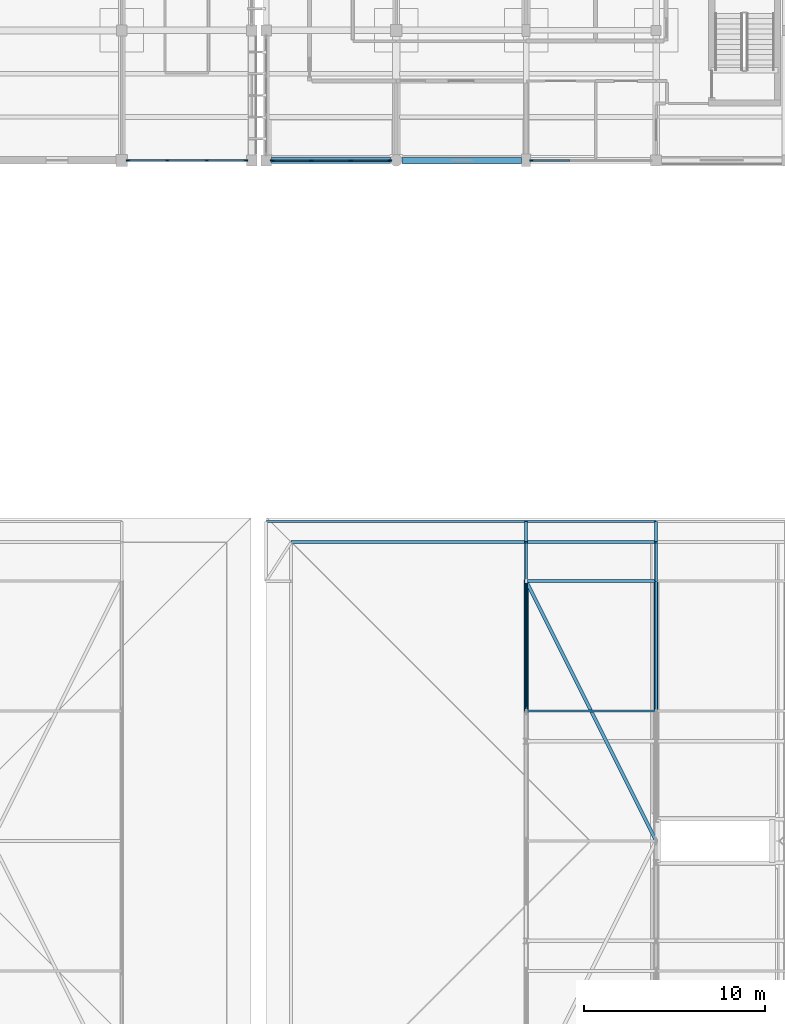
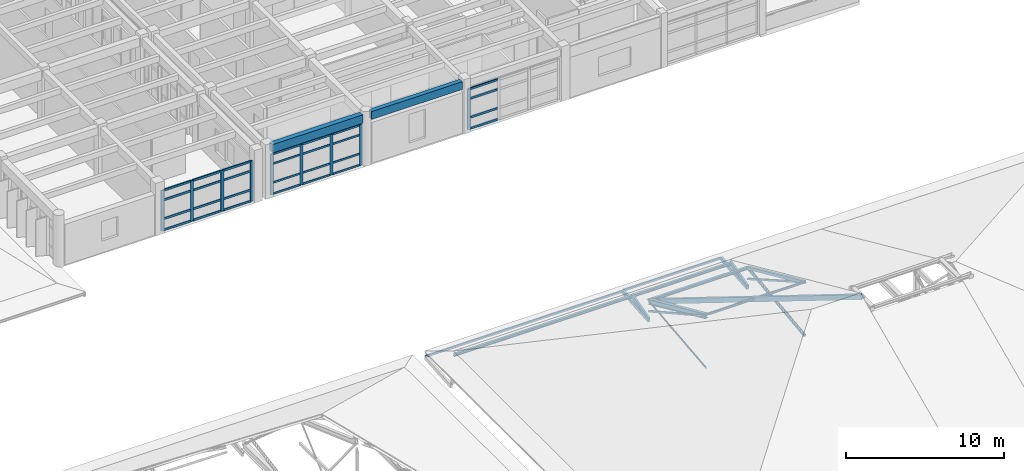
# One storey, part 13 of 100: 54 members, 2 beams, 3 elements without a shape of their own.
"""IFC4 building model written with IfcOpenShell, lengths in metres."""

from ifc_helpers import new_model, si_unit, direction, frame, origin, origin_2d, place, context, subcontext, project, spatial, rectangle, hollow_rectangle, hollow_circle, i_section, extrude, material, material_profile, profile_set, type_object, element, aggregate, save


model = new_model("IFC4")

# Units and contexts
model_context = context("Model", 3, precision=1e-05, world=origin(), true_north=direction((0.0, 1.0)))
body_context = subcontext(model_context, "Body", "Model", "MODEL_VIEW")
ifc_project = project(units=[si_unit("LENGTHUNIT", "METRE"), si_unit("AREAUNIT", "SQUARE_METRE"), si_unit("VOLUMEUNIT", "CUBIC_METRE"), si_unit("PLANEANGLEUNIT", "RADIAN"), si_unit("MASSUNIT", "GRAM", prefix="KILO")], contexts=[model_context])

# Site, building, storey
site_placement = place(None, origin())
site = spatial("IfcSite", under=ifc_project, at=site_placement, CompositionType="ELEMENT")
building_placement = place(site_placement, origin())
building = spatial("IfcBuilding", under=site, at=building_placement, Name="Steenspoor Specialist Clinic", CompositionType="ELEMENT")
storey_placement = place(building_placement, frame((0.0, 0.0, 9.0)))
storey = spatial("IfcBuildingStorey", under=building, at=storey_placement, Name="L02", CompositionType="ELEMENT", Elevation=9.0)

# Curtain wall, members
ifc_material_1 = material(Name="Thermally broken aluminium and low-emissivity glass", Category="aluminium")
curtain_wall_type_1 = type_object("IfcCurtainWallType", Name="CW-SCR-480X320", PredefinedType="USERDEFINED", material=ifc_material_1)
curtain_wall_1_placement = place(storey_placement, origin())
curtain_wall_1 = element("IfcCurtainWall", 1, at=curtain_wall_1_placement, inside=storey, type_object=curtain_wall_type_1, Name="Unitised Curtain Wall CW-V4-L02-090", ObjectType="UNITISED GLAZING", PredefinedType="USERDEFINED")
ifc_material_2 = material(Name="Thermally broken aluminium 6063-T6", Category="aluminium")
ifc_material_profile_1 = material_profile(ifc_material_2, rectangle(XDim=0.080078125, YDim=0.219970703125, at=origin_2d()), Name="CWM-80X220")
ifc_profile_set_1 = profile_set([ifc_material_profile_1], Name="Thermally broken aluminium 6063-T6")
member_type_1 = type_object("IfcMemberType", Name="CW-MULL-80X220", PredefinedType="MULLION", material=ifc_profile_set_1)
member_1_placement = place(storey_placement, frame((116.860107421875, 65.14990234375, 0.0), z_axis=(0.0, 0.0, 1.0), x_axis=(0.0, -1.0, 0.0)))
member_1 = element("IfcMember", 2, at=member_1_placement, type_object=member_type_1, Name="CW-18 mullion 1", PredefinedType="MULLION", context=body_context, shape_type="SweptSolid", body=[
    extrude(rectangle(XDim=0.080078125, YDim=0.219970703125, at=origin_2d()), origin(), (0.0, 0.0, 1.0), 3.1298828125),
])
member_2_placement = place(storey_placement, frame((114.708251953125, 65.14990234375, 0.0), z_axis=(0.0, 0.0, 1.0), x_axis=(0.0, -1.0, 0.0)))
member_2 = element("IfcMember", 3, at=member_2_placement, type_object=member_type_1, Name="CW-18 mullion 2", PredefinedType="MULLION", context=body_context, shape_type="SweptSolid", body=[
    extrude(rectangle(XDim=0.080078125, YDim=0.219970703125, at=origin_2d()), origin(), (0.0, 0.0, 1.0), 3.1298828125),
])
member_3_placement = place(storey_placement, frame((112.5166015625, 65.14990234375, 0.0), z_axis=(0.0, 0.0, 1.0), x_axis=(0.0, -1.0, 0.0)))
member_3 = element("IfcMember", 4, at=member_3_placement, type_object=member_type_1, Name="CW-18 mullion 3", PredefinedType="MULLION", context=body_context, shape_type="SweptSolid", body=[
    extrude(rectangle(XDim=0.080078125, YDim=0.219970703125, at=origin_2d()), origin(), (0.0, 0.0, 1.0), 3.1298828125),
])
member_4_placement = place(storey_placement, frame((110.364990234375, 65.14990234375, 0.0), z_axis=(0.0, 0.0, 1.0), x_axis=(0.0, -1.0, 0.0)))
member_4 = element("IfcMember", 5, at=member_4_placement, type_object=member_type_1, Name="CW-18 mullion 4", PredefinedType="MULLION", context=body_context, shape_type="SweptSolid", body=[
    extrude(rectangle(XDim=0.080078125, YDim=0.219970703125, at=origin_2d()), origin(), (0.0, 0.0, 1.0), 3.1298828125),
])

curtain_wall_2_placement = place(storey_placement, origin())
curtain_wall_2 = element("IfcCurtainWall", 6, at=curtain_wall_2_placement, inside=storey, type_object=curtain_wall_type_1, Name="Unitised Curtain Wall CW-V6-L02-186", ObjectType="UNITISED GLAZING", PredefinedType="USERDEFINED")
member_5_placement = place(storey_placement, frame((124.8349609375, 65.14990234375, 0.0), z_axis=(0.0, 0.0, 1.0), x_axis=(0.0, -1.0, 0.0)))
member_5 = element("IfcMember", 7, at=member_5_placement, type_object=member_type_1, Name="CW-18 mullion 1", PredefinedType="MULLION", context=body_context, shape_type="SweptSolid", body=[
    extrude(rectangle(XDim=0.080078125, YDim=0.219970703125, at=origin_2d()), origin(), (0.0, 0.0, 1.0), 3.1298828125),
])
member_6_placement = place(storey_placement, frame((122.683349609375, 65.14990234375, 0.0), z_axis=(0.0, 0.0, 1.0), x_axis=(0.0, -1.0, 0.0)))
member_6 = element("IfcMember", 8, at=member_6_placement, type_object=member_type_1, Name="CW-18 mullion 2", PredefinedType="MULLION", context=body_context, shape_type="SweptSolid", body=[
    extrude(rectangle(XDim=0.080078125, YDim=0.219970703125, at=origin_2d()), origin(), (0.0, 0.0, 1.0), 3.1298828125),
])
member_7_placement = place(storey_placement, frame((120.49169921875, 65.14990234375, 0.0), z_axis=(0.0, 0.0, 1.0), x_axis=(0.0, -1.0, 0.0)))
member_7 = element("IfcMember", 9, at=member_7_placement, type_object=member_type_1, Name="CW-18 mullion 3", PredefinedType="MULLION", context=body_context, shape_type="SweptSolid", body=[
    extrude(rectangle(XDim=0.080078125, YDim=0.219970703125, at=origin_2d()), origin(), (0.0, 0.0, 1.0), 3.1298828125),
])
member_8_placement = place(storey_placement, frame((118.340087890625, 65.14990234375, 0.0), z_axis=(0.0, 0.0, 1.0), x_axis=(0.0, -1.0, 0.0)))
member_8 = element("IfcMember", 10, at=member_8_placement, type_object=member_type_1, Name="CW-18 mullion 4", PredefinedType="MULLION", context=body_context, shape_type="SweptSolid", body=[
    extrude(rectangle(XDim=0.080078125, YDim=0.219970703125, at=origin_2d()), origin(), (0.0, 0.0, 1.0), 3.1298828125),
])

# Curtain wall, member
curtain_wall_type_2 = type_object("IfcCurtainWallType", Name="CW-SCR-660X320", PredefinedType="USERDEFINED", material=ifc_material_1)
curtain_wall_3_placement = place(storey_placement, origin())
curtain_wall_3 = element("IfcCurtainWall", 11, at=curtain_wall_3_placement, inside=storey, type_object=curtain_wall_type_2, Name="Unitised Curtain Wall CW-V6-L02-185", ObjectType="UNITISED GLAZING", PredefinedType="USERDEFINED")
ifc_material_profile_2 = material_profile(ifc_material_2, rectangle(XDim=0.090087890625, YDim=0.199951171875, at=origin_2d()), Name="CWM-90X200")
ifc_profile_set_2 = profile_set([ifc_material_profile_2], Name="Thermally broken aluminium 6063-T6")
member_type_2 = type_object("IfcMemberType", Name="CW-MULL-90X200", PredefinedType="MULLION", material=ifc_profile_set_2)
member_9_placement = place(storey_placement, frame((132.695068359375, 65.14990234375, 0.0), z_axis=(0.0, 0.0, 1.0), x_axis=(0.0, -1.0, 0.0)))
member_9 = element("IfcMember", 12, at=member_9_placement, type_object=member_type_2, Name="CW-17 mullion 4", PredefinedType="MULLION", context=body_context, shape_type="SweptSolid", body=[
    extrude(rectangle(XDim=0.090087890625, YDim=0.199951171875, at=origin_2d()), origin(), (0.0, 0.0, 1.0), 3.1298828125),
])

# Member
ifc_material_profile_3 = material_profile(ifc_material_2, rectangle(XDim=0.070068359375, YDim=0.14501953125, at=origin_2d()), Name="CWT-70X145")
ifc_profile_set_3 = profile_set([ifc_material_profile_3], Name="Thermally broken aluminium 6063-T6")
member_type_3 = type_object("IfcMemberType", Name="CW-TRAN-70X145", PredefinedType="USERDEFINED", material=ifc_profile_set_3)
member_10_placement = place(storey_placement, frame((124.794921875, 65.14990234375, 0.034912109375), z_axis=(-1.0, 0.0, 0.0), x_axis=(0.0, -1.0, 0.0)))
member_10 = element("IfcMember", 13, at=member_10_placement, type_object=member_type_3, Name="CW-18 transom 1.1", ObjectType="TRANSOM", PredefinedType="USERDEFINED", context=body_context, shape_type="SweptSolid", body=[
    extrude(rectangle(XDim=0.070068359375, YDim=0.14501953125, at=origin_2d()), origin(), (0.0, 0.0, 1.0), 2.071533203125),
])

member_11_placement = place(storey_placement, frame((124.794921875, 65.14990234375, 0.89990234375), z_axis=(-1.0, 0.0, 0.0), x_axis=(0.0, -1.0, 0.0)))
member_11 = element("IfcMember", 14, at=member_11_placement, type_object=member_type_3, Name="CW-18 transom 1.2", ObjectType="TRANSOM", PredefinedType="USERDEFINED", context=body_context, shape_type="SweptSolid", body=[
    extrude(rectangle(XDim=0.070068359375, YDim=0.14501953125, at=origin_2d()), origin(), (0.0, 0.0, 1.0), 2.071533203125),
])

member_12_placement = place(storey_placement, frame((124.794921875, 65.14990234375, 2.35009765625), z_axis=(-1.0, 0.0, 0.0), x_axis=(0.0, -1.0, 0.0)))
member_12 = element("IfcMember", 15, at=member_12_placement, type_object=member_type_3, Name="CW-18 transom 1.3", ObjectType="TRANSOM", PredefinedType="USERDEFINED", context=body_context, shape_type="SweptSolid", body=[
    extrude(rectangle(XDim=0.070068359375, YDim=0.14501953125, at=origin_2d()), origin(), (0.0, 0.0, 1.0), 2.071533203125),
])

member_13_placement = place(storey_placement, frame((124.794921875, 65.14990234375, 3.094970703125), z_axis=(-1.0, 0.0, 0.0), x_axis=(0.0, -1.0, 0.0)))
member_13 = element("IfcMember", 16, at=member_13_placement, type_object=member_type_3, Name="CW-18 transom 1.4", ObjectType="TRANSOM", PredefinedType="USERDEFINED", context=body_context, shape_type="SweptSolid", body=[
    extrude(rectangle(XDim=0.070068359375, YDim=0.14501953125, at=origin_2d()), origin(), (0.0, 0.0, 1.0), 2.071533203125),
])

member_14_placement = place(storey_placement, frame((122.643310546875, 65.14990234375, 0.034912109375), z_axis=(-1.0, 0.0, 0.0), x_axis=(0.0, -1.0, 0.0)))
member_14 = element("IfcMember", 17, at=member_14_placement, type_object=member_type_3, Name="CW-18 transom 2.1", ObjectType="TRANSOM", PredefinedType="USERDEFINED", context=body_context, shape_type="SweptSolid", body=[
    extrude(rectangle(XDim=0.070068359375, YDim=0.14501953125, at=origin_2d()), origin(), (0.0, 0.0, 1.0), 2.111572265625),
])

member_15_placement = place(storey_placement, frame((122.643310546875, 65.14990234375, 0.89990234375), z_axis=(-1.0, 0.0, 0.0), x_axis=(0.0, -1.0, 0.0)))
member_15 = element("IfcMember", 18, at=member_15_placement, type_object=member_type_3, Name="CW-18 transom 2.2", ObjectType="TRANSOM", PredefinedType="USERDEFINED", context=body_context, shape_type="SweptSolid", body=[
    extrude(rectangle(XDim=0.070068359375, YDim=0.14501953125, at=origin_2d()), origin(), (0.0, 0.0, 1.0), 2.111572265625),
])

member_16_placement = place(storey_placement, frame((122.643310546875, 65.14990234375, 2.35009765625), z_axis=(-1.0, 0.0, 0.0), x_axis=(0.0, -1.0, 0.0)))
member_16 = element("IfcMember", 19, at=member_16_placement, type_object=member_type_3, Name="CW-18 transom 2.3", ObjectType="TRANSOM", PredefinedType="USERDEFINED", context=body_context, shape_type="SweptSolid", body=[
    extrude(rectangle(XDim=0.070068359375, YDim=0.14501953125, at=origin_2d()), origin(), (0.0, 0.0, 1.0), 2.111572265625),
])

member_17_placement = place(storey_placement, frame((122.643310546875, 65.14990234375, 3.094970703125), z_axis=(-1.0, 0.0, 0.0), x_axis=(0.0, -1.0, 0.0)))
member_17 = element("IfcMember", 20, at=member_17_placement, type_object=member_type_3, Name="CW-18 transom 2.4", ObjectType="TRANSOM", PredefinedType="USERDEFINED", context=body_context, shape_type="SweptSolid", body=[
    extrude(rectangle(XDim=0.070068359375, YDim=0.14501953125, at=origin_2d()), origin(), (0.0, 0.0, 1.0), 2.111572265625),
])

member_18_placement = place(storey_placement, frame((120.45166015625, 65.14990234375, 0.034912109375), z_axis=(-1.0, 0.0, 0.0), x_axis=(0.0, -1.0, 0.0)))
member_18 = element("IfcMember", 21, at=member_18_placement, type_object=member_type_3, Name="CW-18 transom 3.1", ObjectType="TRANSOM", PredefinedType="USERDEFINED", context=body_context, shape_type="SweptSolid", body=[
    extrude(rectangle(XDim=0.070068359375, YDim=0.14501953125, at=origin_2d()), origin(), (0.0, 0.0, 1.0), 2.07177734375),
])

member_19_placement = place(storey_placement, frame((120.45166015625, 65.14990234375, 0.89990234375), z_axis=(-1.0, 0.0, 0.0), x_axis=(0.0, -1.0, 0.0)))
member_19 = element("IfcMember", 22, at=member_19_placement, type_object=member_type_3, Name="CW-18 transom 3.2", ObjectType="TRANSOM", PredefinedType="USERDEFINED", context=body_context, shape_type="SweptSolid", body=[
    extrude(rectangle(XDim=0.070068359375, YDim=0.14501953125, at=origin_2d()), origin(), (0.0, 0.0, 1.0), 2.07177734375),
])

member_20_placement = place(storey_placement, frame((120.45166015625, 65.14990234375, 2.35009765625), z_axis=(-1.0, 0.0, 0.0), x_axis=(0.0, -1.0, 0.0)))
member_20 = element("IfcMember", 23, at=member_20_placement, type_object=member_type_3, Name="CW-18 transom 3.3", ObjectType="TRANSOM", PredefinedType="USERDEFINED", context=body_context, shape_type="SweptSolid", body=[
    extrude(rectangle(XDim=0.070068359375, YDim=0.14501953125, at=origin_2d()), origin(), (0.0, 0.0, 1.0), 2.07177734375),
])

member_21_placement = place(storey_placement, frame((120.45166015625, 65.14990234375, 3.094970703125), z_axis=(-1.0, 0.0, 0.0), x_axis=(0.0, -1.0, 0.0)))
member_21 = element("IfcMember", 24, at=member_21_placement, type_object=member_type_3, Name="CW-18 transom 3.4", ObjectType="TRANSOM", PredefinedType="USERDEFINED", context=body_context, shape_type="SweptSolid", body=[
    extrude(rectangle(XDim=0.070068359375, YDim=0.14501953125, at=origin_2d()), origin(), (0.0, 0.0, 1.0), 2.07177734375),
])

aggregate(curtain_wall_2, [member_5, member_6, member_7, member_8, member_10, member_11, member_12, member_13, member_14, member_15, member_16, member_17, member_18, member_19, member_20, member_21])

ifc_material_profile_4 = material_profile(ifc_material_2, rectangle(XDim=0.080078125, YDim=0.159912109375, at=origin_2d()), Name="CWT-80X160")
ifc_profile_set_4 = profile_set([ifc_material_profile_4], Name="Thermally broken aluminium 6063-T6")
member_type_4 = type_object("IfcMemberType", Name="CW-TRAN-80X160", PredefinedType="USERDEFINED", material=ifc_profile_set_4)
member_22_placement = place(storey_placement, frame((116.820068359375, 65.14990234375, 0.0400390625), z_axis=(-1.0, 0.0, 0.0), x_axis=(0.0, -1.0, 0.0)))
member_22 = element("IfcMember", 25, at=member_22_placement, type_object=member_type_4, Name="CW-18 transom 1.1", ObjectType="TRANSOM", PredefinedType="USERDEFINED", context=body_context, shape_type="SweptSolid", body=[
    extrude(rectangle(XDim=0.080078125, YDim=0.159912109375, at=origin_2d()), origin(), (0.0, 0.0, 1.0), 2.07177734375),
])

member_23_placement = place(storey_placement, frame((116.820068359375, 65.14990234375, 0.89990234375), z_axis=(-1.0, 0.0, 0.0), x_axis=(0.0, -1.0, 0.0)))
member_23 = element("IfcMember", 26, at=member_23_placement, type_object=member_type_4, Name="CW-18 transom 1.2", ObjectType="TRANSOM", PredefinedType="USERDEFINED", context=body_context, shape_type="SweptSolid", body=[
    extrude(rectangle(XDim=0.080078125, YDim=0.159912109375, at=origin_2d()), origin(), (0.0, 0.0, 1.0), 2.07177734375),
])

member_24_placement = place(storey_placement, frame((116.820068359375, 65.14990234375, 2.35009765625), z_axis=(-1.0, 0.0, 0.0), x_axis=(0.0, -1.0, 0.0)))
member_24 = element("IfcMember", 27, at=member_24_placement, type_object=member_type_4, Name="CW-18 transom 1.3", ObjectType="TRANSOM", PredefinedType="USERDEFINED", context=body_context, shape_type="SweptSolid", body=[
    extrude(rectangle(XDim=0.080078125, YDim=0.159912109375, at=origin_2d()), origin(), (0.0, 0.0, 1.0), 2.07177734375),
])

member_25_placement = place(storey_placement, frame((116.820068359375, 65.14990234375, 3.090087890625), z_axis=(-1.0, 0.0, 0.0), x_axis=(0.0, -1.0, 0.0)))
member_25 = element("IfcMember", 28, at=member_25_placement, type_object=member_type_4, Name="CW-18 transom 1.4", ObjectType="TRANSOM", PredefinedType="USERDEFINED", context=body_context, shape_type="SweptSolid", body=[
    extrude(rectangle(XDim=0.080078125, YDim=0.159912109375, at=origin_2d()), origin(), (0.0, 0.0, 1.0), 2.07177734375),
])

member_26_placement = place(storey_placement, frame((114.668212890625, 65.14990234375, 0.0400390625), z_axis=(-1.0, 0.0, 0.0), x_axis=(0.0, -1.0, 0.0)))
member_26 = element("IfcMember", 29, at=member_26_placement, type_object=member_type_4, Name="CW-18 transom 2.1", ObjectType="TRANSOM", PredefinedType="USERDEFINED", context=body_context, shape_type="SweptSolid", body=[
    extrude(rectangle(XDim=0.080078125, YDim=0.159912109375, at=origin_2d()), origin(), (0.0, 0.0, 1.0), 2.111572265625),
])

member_27_placement = place(storey_placement, frame((114.668212890625, 65.14990234375, 0.89990234375), z_axis=(-1.0, 0.0, 0.0), x_axis=(0.0, -1.0, 0.0)))
member_27 = element("IfcMember", 30, at=member_27_placement, type_object=member_type_4, Name="CW-18 transom 2.2", ObjectType="TRANSOM", PredefinedType="USERDEFINED", context=body_context, shape_type="SweptSolid", body=[
    extrude(rectangle(XDim=0.080078125, YDim=0.159912109375, at=origin_2d()), origin(), (0.0, 0.0, 1.0), 2.111572265625),
])

member_28_placement = place(storey_placement, frame((114.668212890625, 65.14990234375, 2.35009765625), z_axis=(-1.0, 0.0, 0.0), x_axis=(0.0, -1.0, 0.0)))
member_28 = element("IfcMember", 31, at=member_28_placement, type_object=member_type_4, Name="CW-18 transom 2.3", ObjectType="TRANSOM", PredefinedType="USERDEFINED", context=body_context, shape_type="SweptSolid", body=[
    extrude(rectangle(XDim=0.080078125, YDim=0.159912109375, at=origin_2d()), origin(), (0.0, 0.0, 1.0), 2.111572265625),
])

member_29_placement = place(storey_placement, frame((114.668212890625, 65.14990234375, 3.090087890625), z_axis=(-1.0, 0.0, 0.0), x_axis=(0.0, -1.0, 0.0)))
member_29 = element("IfcMember", 32, at=member_29_placement, type_object=member_type_4, Name="CW-18 transom 2.4", ObjectType="TRANSOM", PredefinedType="USERDEFINED", context=body_context, shape_type="SweptSolid", body=[
    extrude(rectangle(XDim=0.080078125, YDim=0.159912109375, at=origin_2d()), origin(), (0.0, 0.0, 1.0), 2.111572265625),
])

member_30_placement = place(storey_placement, frame((112.4765625, 65.14990234375, 0.0400390625), z_axis=(-1.0, 0.0, 0.0), x_axis=(0.0, -1.0, 0.0)))
member_30 = element("IfcMember", 33, at=member_30_placement, type_object=member_type_4, Name="CW-18 transom 3.1", ObjectType="TRANSOM", PredefinedType="USERDEFINED", context=body_context, shape_type="SweptSolid", body=[
    extrude(rectangle(XDim=0.080078125, YDim=0.159912109375, at=origin_2d()), origin(), (0.0, 0.0, 1.0), 2.071533203125),
])

member_31_placement = place(storey_placement, frame((112.4765625, 65.14990234375, 0.89990234375), z_axis=(-1.0, 0.0, 0.0), x_axis=(0.0, -1.0, 0.0)))
member_31 = element("IfcMember", 34, at=member_31_placement, type_object=member_type_4, Name="CW-18 transom 3.2", ObjectType="TRANSOM", PredefinedType="USERDEFINED", context=body_context, shape_type="SweptSolid", body=[
    extrude(rectangle(XDim=0.080078125, YDim=0.159912109375, at=origin_2d()), origin(), (0.0, 0.0, 1.0), 2.071533203125),
])

member_32_placement = place(storey_placement, frame((112.4765625, 65.14990234375, 2.35009765625), z_axis=(-1.0, 0.0, 0.0), x_axis=(0.0, -1.0, 0.0)))
member_32 = element("IfcMember", 35, at=member_32_placement, type_object=member_type_4, Name="CW-18 transom 3.3", ObjectType="TRANSOM", PredefinedType="USERDEFINED", context=body_context, shape_type="SweptSolid", body=[
    extrude(rectangle(XDim=0.080078125, YDim=0.159912109375, at=origin_2d()), origin(), (0.0, 0.0, 1.0), 2.071533203125),
])

member_33_placement = place(storey_placement, frame((112.4765625, 65.14990234375, 3.090087890625), z_axis=(-1.0, 0.0, 0.0), x_axis=(0.0, -1.0, 0.0)))
member_33 = element("IfcMember", 36, at=member_33_placement, type_object=member_type_4, Name="CW-18 transom 3.4", ObjectType="TRANSOM", PredefinedType="USERDEFINED", context=body_context, shape_type="SweptSolid", body=[
    extrude(rectangle(XDim=0.080078125, YDim=0.159912109375, at=origin_2d()), origin(), (0.0, 0.0, 1.0), 2.071533203125),
])

aggregate(curtain_wall_1, [member_1, member_2, member_3, member_4, member_22, member_23, member_24, member_25, member_26, member_27, member_28, member_29, member_30, member_31, member_32, member_33])

member_34_placement = place(storey_placement, frame((134.82177734375, 65.14990234375, 0.0400390625), z_axis=(-1.0, 0.0, 0.0), x_axis=(0.0, -1.0, 0.0)))
member_34 = element("IfcMember", 37, at=member_34_placement, type_object=member_type_4, Name="CW-17 transom 3.1", ObjectType="TRANSOM", PredefinedType="USERDEFINED", context=body_context, shape_type="SweptSolid", body=[
    extrude(rectangle(XDim=0.080078125, YDim=0.159912109375, at=origin_2d()), origin(), (0.0, 0.0, 1.0), 2.081787109375),
])

member_35_placement = place(storey_placement, frame((134.82177734375, 65.14990234375, 0.89990234375), z_axis=(-1.0, 0.0, 0.0), x_axis=(0.0, -1.0, 0.0)))
member_35 = element("IfcMember", 38, at=member_35_placement, type_object=member_type_4, Name="CW-17 transom 3.2", ObjectType="TRANSOM", PredefinedType="USERDEFINED", context=body_context, shape_type="SweptSolid", body=[
    extrude(rectangle(XDim=0.080078125, YDim=0.159912109375, at=origin_2d()), origin(), (0.0, 0.0, 1.0), 2.081787109375),
])

member_36_placement = place(storey_placement, frame((134.82177734375, 65.14990234375, 2.35009765625), z_axis=(-1.0, 0.0, 0.0), x_axis=(0.0, -1.0, 0.0)))
member_36 = element("IfcMember", 39, at=member_36_placement, type_object=member_type_4, Name="CW-17 transom 3.3", ObjectType="TRANSOM", PredefinedType="USERDEFINED", context=body_context, shape_type="SweptSolid", body=[
    extrude(rectangle(XDim=0.080078125, YDim=0.159912109375, at=origin_2d()), origin(), (0.0, 0.0, 1.0), 2.081787109375),
])

member_37_placement = place(storey_placement, frame((134.82177734375, 65.14990234375, 3.090087890625), z_axis=(-1.0, 0.0, 0.0), x_axis=(0.0, -1.0, 0.0)))
member_37 = element("IfcMember", 40, at=member_37_placement, type_object=member_type_4, Name="CW-17 transom 3.4", ObjectType="TRANSOM", PredefinedType="USERDEFINED", context=body_context, shape_type="SweptSolid", body=[
    extrude(rectangle(XDim=0.080078125, YDim=0.159912109375, at=origin_2d()), origin(), (0.0, 0.0, 1.0), 2.081787109375),
])

aggregate(curtain_wall_3, [member_9, member_34, member_35, member_36, member_37])

# Members
ifc_material_3 = material(Name="Steel A500 Grade C", Category="steel")
ifc_material_profile_5 = material_profile(ifc_material_3, hollow_rectangle(XDim=0.126953125, YDim=0.126953125, WallThickness=0.0087890625, at=origin_2d()), Name="HSS127X127X9.5")
ifc_profile_set_5 = profile_set([ifc_material_profile_5], Name="Steel A500 Grade C")
member_type_5 = type_object("IfcMemberType", Name="MEM-BRACE-H127A", PredefinedType="BRACE", material=ifc_profile_set_5)
member_38_placement = place(storey_placement, frame((132.39990234375, 34.64990234375, 4.218017578125), z_axis=(0.0, 0.873306699874, -0.487170820098), x_axis=(-1.0, 0.0, 0.0)))
element("IfcMember", 41, at=member_38_placement, inside=storey, type_object=member_type_5, Name="ROOF TRUSS Web Brace V2 3.4", PredefinedType="BRACE", context=body_context, shape_type="SweptSolid", body=[
    extrude(hollow_rectangle(XDim=0.126953125, YDim=0.126953125, WallThickness=0.0087890625, at=origin_2d()), origin(), (0.0, 0.0, 1.0), 8.24462890625),
])
ifc_material_profile_6 = material_profile(ifc_material_3, hollow_rectangle(XDim=0.126953125, YDim=0.126953125, WallThickness=0.005859375, at=origin_2d()), Name="HSS127X127X6.4")
ifc_profile_set_6 = profile_set([ifc_material_profile_6], Name="Steel A500 Grade C")
member_type_6 = type_object("IfcMemberType", Name="MEM-BRACE-H127B", PredefinedType="BRACE", material=ifc_profile_set_6)
member_39_placement = place(storey_placement, frame((139.60009765625, 34.64990234375, 4.291015625), z_axis=(0.0, 0.868110878099, -0.496370328814), x_axis=(-1.0, 0.0, 0.0)))
element("IfcMember", 42, at=member_39_placement, inside=storey, type_object=member_type_6, Name="ROOF TRUSS Web Brace V2 4.4", PredefinedType="BRACE", context=body_context, shape_type="SweptSolid", body=[
    extrude(hollow_rectangle(XDim=0.126953125, YDim=0.126953125, WallThickness=0.005859375, at=origin_2d()), origin(), (0.0, 0.0, 1.0), 8.294189453125),
])
ifc_material_profile_7 = material_profile(ifc_material_3, hollow_rectangle(XDim=0.203125, YDim=0.203125, WallThickness=0.01171875, at=origin_2d()), Name="HSS203X203X12.7")
ifc_profile_set_7 = profile_set([ifc_material_profile_7], Name="Steel A500 Grade C")
member_type_7 = type_object("IfcMemberType", Name="MEM-CHORD-H203", PredefinedType="CHORD", material=ifc_profile_set_7)
member_40_placement = place(storey_placement, frame((139.60009765625, 34.64990234375, 4.291015625), z_axis=(0.0, 0.911590390971, -0.41109969483), x_axis=(-1.0, 0.0, 0.0)))
element("IfcMember", 43, at=member_40_placement, inside=storey, type_object=member_type_7, Name="ROOF TRUSS Top Chord V2 4.4", PredefinedType="CHORD", context=body_context, shape_type="SweptSolid", body=[
    extrude(hollow_rectangle(XDim=0.203125, YDim=0.203125, WallThickness=0.01171875, at=origin_2d()), origin(), (0.0, 0.0, 1.0), 7.8984375),
])
ifc_material_4 = material(Name="Steel A992 Grade 50", Category="steel")
ifc_material_profile_8 = material_profile(ifc_material_4, i_section(OverallWidth=0.257080078125, OverallDepth=0.363037109375, WebThickness=0.012939453125, FlangeThickness=0.021728515625, at=origin_2d()), Name="W360X122")
ifc_profile_set_8 = profile_set([ifc_material_profile_8], Name="Steel A992 Grade 50")
member_type_8 = type_object("IfcMemberType", Name="MEM-CHORD-W360", PredefinedType="CHORD", material=ifc_profile_set_8)
member_41_placement = place(storey_placement, frame((132.39990234375, 34.64990234375, 4.218017578125), z_axis=(0.0, 0.911601974326, -0.411074008428), x_axis=(-1.0, 0.0, 0.0)))
element("IfcMember", 44, at=member_41_placement, inside=storey, type_object=member_type_8, Name="ROOF TRUSS Top Chord V2 3.4", PredefinedType="CHORD", context=body_context, shape_type="SweptSolid", body=[
    extrude(i_section(OverallWidth=0.257080078125, OverallDepth=0.363037109375, WebThickness=0.012939453125, FlangeThickness=0.021728515625, at=origin_2d()), origin(), (0.0, 0.0, 1.0), 7.8984375),
])
ifc_material_profile_9 = material_profile(ifc_material_3, hollow_rectangle(XDim=0.1015625, YDim=0.15234375, WallThickness=0.005859375, at=origin_2d()), Name="HSS152X102X6.4")
ifc_profile_set_9 = profile_set([ifc_material_profile_9], Name="Steel A500 Grade C")
member_type_9 = type_object("IfcMemberType", Name="MEM-PURLIN-H152", PredefinedType="PURLIN", material=ifc_profile_set_9)
member_42_placement = place(storey_placement, frame((118.0, 45.14990234375, -0.243408203125), z_axis=(1.0, 0.0, 0.0), x_axis=(0.0, 1.0, 0.0)))
element("IfcMember", 45, at=member_42_placement, inside=storey, type_object=member_type_9, Name="ROOF TRUSS Eave Fascia 100", PredefinedType="PURLIN", context=body_context, shape_type="SweptSolid", body=[
    extrude(hollow_rectangle(XDim=0.1015625, YDim=0.15234375, WallThickness=0.005859375, at=origin_2d()), origin(), (0.0, 0.0, 1.0), 14.39990234375),
])
member_43_placement = place(storey_placement, frame((132.39990234375, 45.14990234375, -0.19482421875), z_axis=(1.0, 0.0, 0.0), x_axis=(0.0, 1.0, 0.0)))
element("IfcMember", 46, at=member_43_placement, inside=storey, type_object=member_type_9, Name="ROOF TRUSS Eave Fascia 101", PredefinedType="PURLIN", context=body_context, shape_type="SweptSolid", body=[
    extrude(hollow_rectangle(XDim=0.1015625, YDim=0.15234375, WallThickness=0.005859375, at=origin_2d()), origin(), (0.0, 0.0, 1.0), 7.2001953125),
])
ifc_material_profile_10 = material_profile(ifc_material_4, i_section(OverallWidth=0.10205078125, OverallDepth=0.159912109375, WebThickness=0.006591796875, FlangeThickness=0.01025390625, at=origin_2d()), Name="W150X24")
ifc_profile_set_10 = profile_set([ifc_material_profile_10], Name="Steel A992 Grade 50")
member_type_10 = type_object("IfcMemberType", Name="MEM-PURLIN-W150", PredefinedType="PURLIN", material=ifc_profile_set_10)
member_44_placement = place(storey_placement, frame((132.39990234375, 34.64990234375, 4.303466796875), z_axis=(1.0, 0.0, 0.0), x_axis=(0.0, 1.0, 0.0)))
element("IfcMember", 47, at=member_44_placement, inside=storey, type_object=member_type_10, Name="ROOF TRUSS Purlin 130", PredefinedType="PURLIN", context=body_context, shape_type="SweptSolid", body=[
    extrude(i_section(OverallWidth=0.10205078125, OverallDepth=0.159912109375, WebThickness=0.006591796875, FlangeThickness=0.01025390625, at=origin_2d()), origin(), (0.0, 0.0, 1.0), 7.2001953125),
])
ifc_material_profile_11 = material_profile(ifc_material_4, i_section(OverallWidth=0.1650390625, OverallDepth=0.200927734375, WebThickness=0.006103515625, FlangeThickness=0.01025390625, at=origin_2d()), Name="W200X36")
ifc_profile_set_11 = profile_set([ifc_material_profile_11], Name="Steel A992 Grade 50")
member_type_11 = type_object("IfcMemberType", Name="MEM-PURLIN-W200", PredefinedType="PURLIN", material=ifc_profile_set_11)
member_45_placement = place(storey_placement, frame((119.3798828125, 44.0, 0.068603515625), z_axis=(1.0, 0.0, 0.0), x_axis=(0.0, 1.0, 0.0)))
element("IfcMember", 48, at=member_45_placement, inside=storey, type_object=member_type_11, Name="ROOF TRUSS Knuckle Purlin 110", PredefinedType="PURLIN", context=body_context, shape_type="SweptSolid", body=[
    extrude(i_section(OverallWidth=0.1650390625, OverallDepth=0.200927734375, WebThickness=0.006103515625, FlangeThickness=0.01025390625, at=origin_2d()), origin(), (0.0, 0.0, 1.0), 13.02001953125),
])
for number, where, z_axis, x_axis, name in (
    (49, (132.39990234375, 44.0, 0.068603515625), (1.0, 0.0, 0.0), (0.0, 1.0, 0.0), "ROOF TRUSS Knuckle Purlin 112"),
    (50, (132.39990234375, 41.85009765625, 1.0361328125), (1.0, 0.0, 0.0), (0.0, 1.0, 0.0), "ROOF TRUSS Purlin 131"),
):
    element("IfcMember", number, at=place(storey_placement, frame(where, z_axis=z_axis, x_axis=x_axis)), inside=storey, type_object=member_type_11, Name=name, PredefinedType="PURLIN", context=body_context, shape_type="SweptSolid", body=[
        extrude(i_section(OverallWidth=0.1650390625, OverallDepth=0.200927734375, WebThickness=0.006103515625, FlangeThickness=0.01025390625, at=origin_2d()), origin(), (0.0, 0.0, 1.0), 7.2001953125),
    ])
ifc_material_5 = material(Name="Glulam GL28h", Category="wood")
ifc_material_profile_12 = material_profile(ifc_material_5, rectangle(XDim=0.139892578125, YDim=0.219970703125, at=origin_2d()), Name="GL28H-140X220")
ifc_profile_set_12 = profile_set([ifc_material_profile_12], Name="Glulam GL28h")
member_type_12 = type_object("IfcMemberType", Name="MEM-RAFTER-GL220", PredefinedType="RAFTER", material=ifc_profile_set_12)
for number, where, z_axis, x_axis, name in (
    (51, (132.39990234375, 41.85009765625, -0.404296875), (0.0, 0.965391000043, 0.260806857722), (-1.0, 0.0, 0.0), "ROOF TRUSS Knuckle Rafter V2 50"),
    (52, (139.60009765625, 41.85009765625, -0.404296875), (0.0, 0.965391000043, 0.260806857722), (-1.0, 0.0, 0.0), "ROOF TRUSS Knuckle Rafter V2 54"),
):
    element("IfcMember", number, at=place(storey_placement, frame(where, z_axis=z_axis, x_axis=x_axis)), inside=storey, type_object=member_type_12, Name=name, PredefinedType="RAFTER", context=body_context, shape_type="SweptSolid", body=[
        extrude(rectangle(XDim=0.139892578125, YDim=0.219970703125, at=origin_2d()), origin(), (0.0, 0.0, 1.0), 2.22705078125),
    ])
ifc_material_profile_13 = material_profile(ifc_material_5, rectangle(XDim=0.159912109375, YDim=0.280029296875, at=origin_2d()), Name="GL28H-160X280")
ifc_profile_set_13 = profile_set([ifc_material_profile_13], Name="Glulam GL28h")
member_type_13 = type_object("IfcMemberType", Name="MEM-RAFTER-GL280", PredefinedType="RAFTER", material=ifc_profile_set_13)
for number, where, z_axis, x_axis, name in (
    (53, (132.39990234375, 41.85009765625, -0.5), (0.0, 0.997518288162, 0.070407846027), (-1.0, 0.0, 0.0), "ROOF TRUSS Flared Eave Glulam Outrigger V2 49"),
    (54, (139.60009765625, 41.85009765625, -0.5), (0.0, 0.997518288162, 0.070407846027), (-1.0, 0.0, 0.0), "ROOF TRUSS Flared Eave Glulam Outrigger V2 53"),
):
    element("IfcMember", number, at=place(storey_placement, frame(where, z_axis=z_axis, x_axis=x_axis)), inside=storey, type_object=member_type_13, Name=name, PredefinedType="RAFTER", context=body_context, shape_type="SweptSolid", body=[
        extrude(rectangle(XDim=0.159912109375, YDim=0.280029296875, at=origin_2d()), origin(), (0.0, 0.0, 1.0), 3.30810546875),
    ])
ifc_material_profile_14 = material_profile(ifc_material_5, rectangle(XDim=0.179931640625, YDim=0.360107421875, at=origin_2d()), Name="GL28H-180X360")
ifc_profile_set_14 = profile_set([ifc_material_profile_14], Name="Glulam GL28h")
member_type_14 = type_object("IfcMemberType", Name="MEM-RAFTER-GL360", PredefinedType="RAFTER", material=ifc_profile_set_14)
member_46_placement = place(storey_placement, frame((132.39990234375, 41.85009765625, 0.97119140625), z_axis=(0.414099916535, -0.828185791977, 0.377663280043), x_axis=(0.894424158159, 0.44721966113, 0.0)))
element("IfcMember", 55, at=member_46_placement, inside=storey, type_object=member_type_14, Name="ROOF TRUSS Hip Rafter V2 142", PredefinedType="RAFTER", context=body_context, shape_type="SweptSolid", body=[
    extrude(rectangle(XDim=0.179931640625, YDim=0.360107421875, at=origin_2d()), origin(), (0.0, 0.0, 1.0), 17.3876953125),
])
ifc_material_profile_15 = material_profile(ifc_material_3, hollow_circle(Radius=0.05712890625, WallThickness=0.006103515625, at=origin_2d()), Name="CHS114X6.0")
ifc_profile_set_15 = profile_set([ifc_material_profile_15], Name="Steel A500 Grade C")
member_type_15 = type_object("IfcMemberType", Name="MEM-STRUT-CHS114", PredefinedType="STRUT", material=ifc_profile_set_15)
member_47_placement = place(storey_placement, frame((132.39990234375, 34.64990234375, 0.201416015625), z_axis=(0.0, 0.994333616995, 0.106304553587), x_axis=(-1.0, 0.0, 0.0)))
element("IfcMember", 56, at=member_47_placement, inside=storey, type_object=member_type_15, Name="ROOF TRUSS Web Strut V2 3.4", PredefinedType="STRUT", context=body_context, shape_type="SweptSolid", body=[
    extrude(hollow_circle(Radius=0.05712890625, WallThickness=0.006103515625, at=origin_2d()), origin(), (0.0, 0.0, 1.0), 7.2412109375),
])
ifc_material_profile_16 = material_profile(ifc_material_3, hollow_circle(Radius=0.109619140625, WallThickness=0.00830078125, at=origin_2d()), Name="CHS219X8.2")
ifc_profile_set_16 = profile_set([ifc_material_profile_16], Name="Steel A500 Grade C")
member_type_16 = type_object("IfcMemberType", Name="MEM-STRUT-CHS219", PredefinedType="STRUT", material=ifc_profile_set_16)
member_48_placement = place(storey_placement, frame((139.60009765625, 34.64990234375, 0.174072265625), z_axis=(0.0, 0.992781107, 0.119940291748), x_axis=(-1.0, 0.0, 0.0)))
element("IfcMember", 57, at=member_48_placement, inside=storey, type_object=member_type_16, Name="ROOF TRUSS Web Strut V2 4.4", PredefinedType="STRUT", context=body_context, shape_type="SweptSolid", body=[
    extrude(hollow_circle(Radius=0.109619140625, WallThickness=0.00830078125, at=origin_2d()), origin(), (0.0, 0.0, 1.0), 7.25244140625),
])

# Beams
ifc_material_6 = material(Name="Concrete C35/45", Category="concrete")
ifc_material_profile_17 = material_profile(ifc_material_6, rectangle(XDim=0.320068359375, YDim=0.60009765625, at=origin_2d()), Name="RC-SP-320X600")
ifc_profile_set_17 = profile_set([ifc_material_profile_17], Name="Concrete C35/45")
beam_type_1 = type_object("IfcBeamType", Name="SP-RC-320X600", PredefinedType="SPANDREL", material=ifc_profile_set_17)
beam_1_placement = place(storey_placement, frame((125.52001953125, 65.14990234375, 3.64990234375), z_axis=(1.0, 0.0, 0.0), x_axis=(0.0, 1.0, 0.0)))
element("IfcBeam", 58, at=beam_1_placement, inside=storey, type_object=beam_type_1, Name="BM-V6-L02-X1602", PredefinedType="SPANDREL", context=body_context, shape_type="SweptSolid", body=[
    extrude(rectangle(XDim=0.320068359375, YDim=0.60009765625, at=origin_2d()), origin(), (0.0, 0.0, 1.0), 6.635009765625),
])
ifc_material_profile_18 = material_profile(ifc_material_6, rectangle(XDim=0.360107421875, YDim=0.639892578125, at=origin_2d()), Name="RC-SP-360X640")
ifc_profile_set_18 = profile_set([ifc_material_profile_18], Name="Concrete C35/45")
beam_type_2 = type_object("IfcBeamType", Name="SP-RC-360X640", PredefinedType="SPANDREL", material=ifc_profile_set_18)
beam_2_placement = place(storey_placement, frame((118.294921875, 65.14990234375, 3.6298828125), z_axis=(1.0, 0.0, 0.0), x_axis=(0.0, 1.0, 0.0)))
element("IfcBeam", 59, at=beam_2_placement, inside=storey, type_object=beam_type_2, Name="BM-V6-L02-X1601", PredefinedType="SPANDREL", context=body_context, shape_type="SweptSolid", body=[
    extrude(rectangle(XDim=0.360107421875, YDim=0.639892578125, at=origin_2d()), origin(), (0.0, 0.0, 1.0), 6.5849609375),
])

save(model, "model.ifc")
